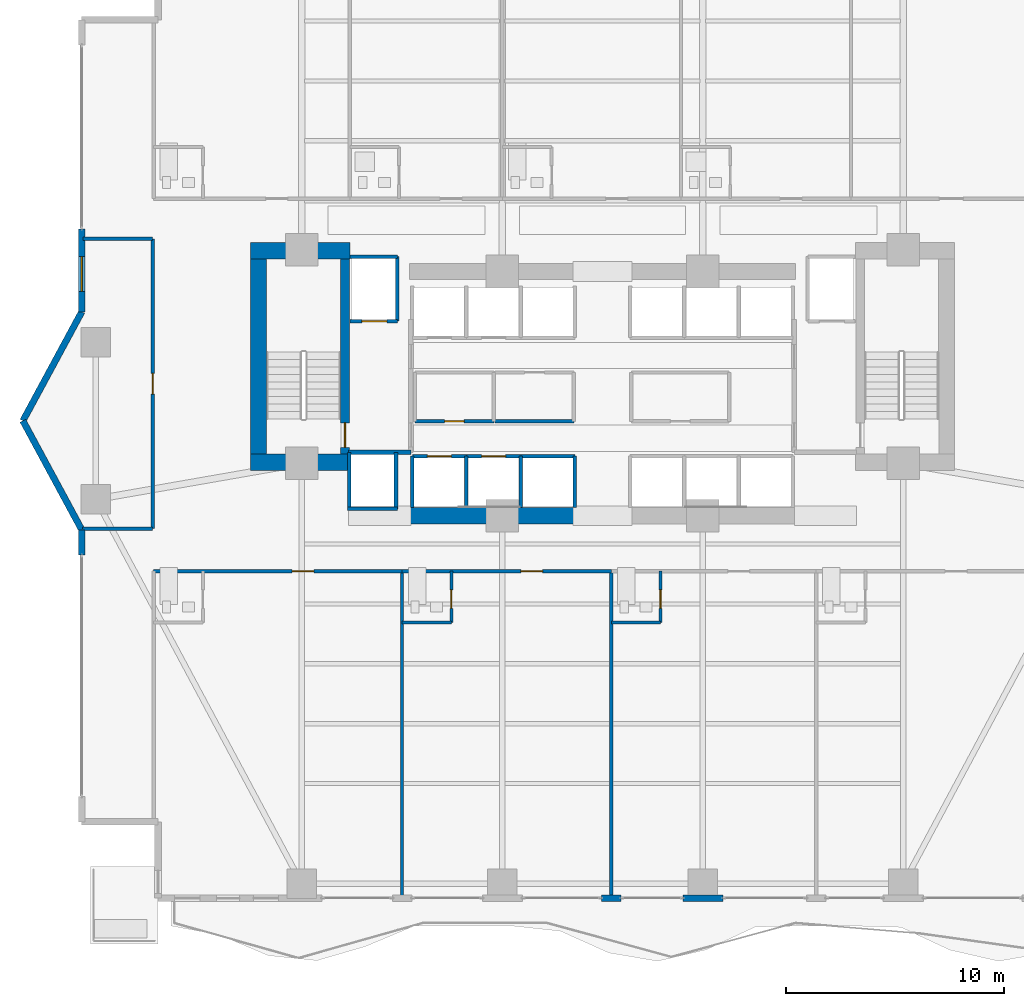
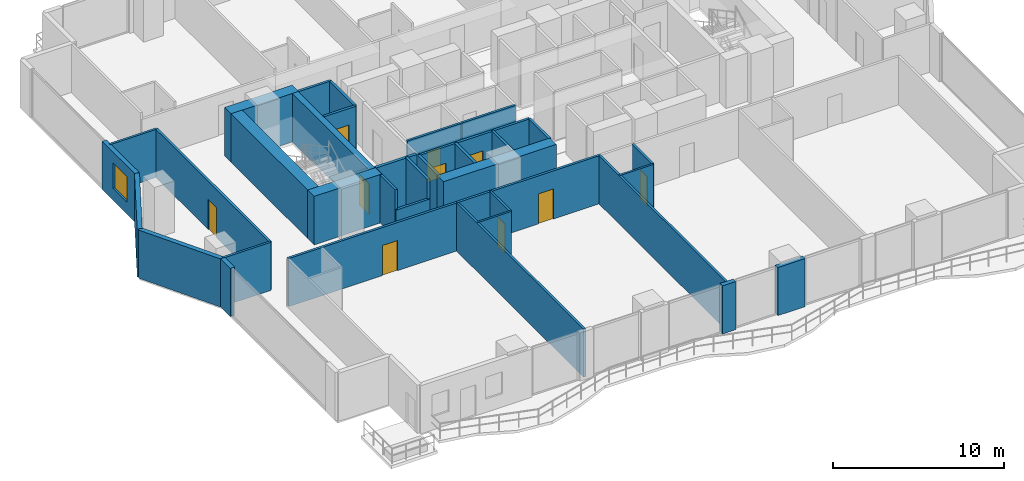
# One storey, part 20 of 27: 38 walls, 10 doors, 1 window, 11 openings.
"""IFC4 building model written with IfcOpenShell, lengths in metres."""

from ifc_helpers import new_model, si_unit, direction, frame, frame_2d, origin, place, context, subcontext, project, spatial, rectangle, extrude, material, layer, layer_set, type_object, element, fill, save


model = new_model("IFC4")

# Units and contexts
model_context = context("Model", 3, precision=1e-05, world=origin(), true_north=direction((0.0, 1.0)))
body_context = subcontext(model_context, "Body", "Model", "MODEL_VIEW")
ifc_project = project(units=[si_unit("LENGTHUNIT", "METRE"), si_unit("AREAUNIT", "SQUARE_METRE"), si_unit("VOLUMEUNIT", "CUBIC_METRE"), si_unit("PLANEANGLEUNIT", "RADIAN"), si_unit("MASSUNIT", "GRAM", prefix="KILO")], contexts=[model_context])

# Site, building, storey
site_placement = place(None, origin())
site = spatial("IfcSite", under=ifc_project, at=site_placement, CompositionType="ELEMENT")
building_placement = place(site_placement, origin())
building = spatial("IfcBuilding", under=site, at=building_placement, Name="Zuhayl Quay Hotel", CompositionType="ELEMENT")
storey_placement = place(building_placement, frame((0.0, 0.0, 124.85009765625)))
storey = spatial("IfcBuildingStorey", under=building, at=storey_placement, Name="L31", CompositionType="ELEMENT", Elevation=124.85009765625)

# Walls
ifc_material_1 = material(Name="Concrete C60/75", Category="concrete")
ifc_layer_1 = layer(ifc_material_1, 0.75, Name="Concrete C60/75", Category="concrete")
ifc_layer_set_1 = layer_set([ifc_layer_1], Name="Concrete C60/75")
wall_type_1 = type_object("IfcWallType", Name="WL_CORE_750", PredefinedType="SHEAR", material=ifc_layer_set_1)
wall_1_placement = place(storey_placement, frame((-16.159912109375, 14.304931640625, 0.0), z_axis=(0.0, 0.0, 1.0), x_axis=(1.0, 0.0, 0.0)))
element("IfcWall", 1, at=wall_1_placement, inside=storey, type_object=wall_type_1, Name="L31 Core Shear Wall CW_NW", PredefinedType="SHEAR", context=body_context, shape_type="SweptSolid", body=[
    extrude(rectangle(XDim=4.559814453125, YDim=0.75, at=frame_2d((2.27978515625, 0.0))), origin(), (0.0, 0.0, 1.0), 3.4599609375),
])
wall_2_placement = place(storey_placement, frame((-15.784912109375, 4.969970703125, 0.0), z_axis=(0.0, 0.0, 1.0), x_axis=(0.0, 1.0, 0.0)))
element("IfcWall", 2, at=wall_2_placement, inside=storey, type_object=wall_type_1, Name="L31 Core Shear Wall CW_W", PredefinedType="SHEAR", context=body_context, shape_type="SweptSolid", body=[
    extrude(rectangle(XDim=8.9599609375, YDim=0.75, at=frame_2d((4.47998046875, 0.0))), origin(), (0.0, 0.0, 1.0), 3.4599609375),
])
wall_3_placement = place(storey_placement, frame((-16.159912109375, 4.594970703125, 0.0), z_axis=(0.0, 0.0, 1.0), x_axis=(1.0, 0.0, 0.0)))
element("IfcWall", 3, at=wall_3_placement, inside=storey, type_object=wall_type_1, Name="L31 Core Shear Wall CW_SW", PredefinedType="SHEAR", context=body_context, shape_type="SweptSolid", body=[
    extrude(rectangle(XDim=4.559814453125, YDim=0.75, at=frame_2d((2.27978515625, 0.0))), origin(), (0.0, 0.0, 1.0), 3.4599609375),
])
wall_4_placement = place(storey_placement, frame((-8.85009765625, 2.14990234375, 0.0), z_axis=(0.0, 0.0, 1.0), x_axis=(1.0, 0.0, 0.0)))
element("IfcWall", 4, at=wall_4_placement, inside=storey, type_object=wall_type_1, Name="L31 Core Shear Wall CW_SC_W", PredefinedType="SHEAR", context=body_context, shape_type="SweptSolid", body=[
    extrude(rectangle(XDim=7.60009765625, YDim=0.75, at=frame_2d((3.800048828125, 0.0))), origin(), (0.0, 0.0, 1.0), 3.429931640625),
])
ifc_material_2 = material(Name="Precast concrete C45/55", Category="concrete")
ifc_layer_2 = layer(ifc_material_2, 0.300048828125, Name="Precast concrete C45/55", Category="concrete")
ifc_layer_set_2 = layer_set([ifc_layer_2], Name="Precast concrete C45/55")
wall_type_2 = type_object("IfcWallType", Name="WL_EXT_300", PredefinedType="STANDARD", material=ifc_layer_set_2)
wall_5_placement = place(storey_placement, frame((-23.89990234375, 0.35009765625, 0.0), z_axis=(0.0, 0.0, 1.0), x_axis=(0.0, 1.0, 0.0)))
element("IfcWall", 5, at=wall_5_placement, inside=storey, type_object=wall_type_2, Name="L31 Exterior Precast Wall ENV_L31_E02_EW2", PredefinedType="STANDARD", context=body_context, shape_type="SweptSolid", body=[
    extrude(rectangle(XDim=1.14990234375, YDim=0.300048828125, at=frame_2d((0.574951171875, 0.0))), origin(), (0.0, 0.0, 1.0), 3.429931640625),
])
for number, where, z_axis, x_axis, name in (
    (6, (-23.89990234375, 1.5, 0.0), (0.0, 0.0, 1.0), (-0.475175525499, 0.879891027325, 0.0), "L31 Exterior Precast Wall ENV_L31_EW03"),
    (7, (-26.60009765625, 6.5, 0.0), (0.0, 0.0, 1.0), (0.475175525499, 0.879891027325, 0.0), "L31 Exterior Precast Wall ENV_L31_EW04"),
):
    element("IfcWall", number, at=place(storey_placement, frame(where, z_axis=z_axis, x_axis=x_axis)), inside=storey, type_object=wall_type_2, Name=name, PredefinedType="STANDARD", context=body_context, shape_type="SweptSolid", body=[
        extrude(rectangle(XDim=5.6826171875, YDim=0.300048828125, at=frame_2d((2.84130859375, 0.0))), origin(), (0.0, 0.0, 1.0), 3.429931640625),
    ])

# Wall, opening, window
wall_6_placement = place(storey_placement, frame((-23.89990234375, 11.5, 0.0), z_axis=(0.0, 0.0, 1.0), x_axis=(0.0, 1.0, 0.0)))
wall_6 = element("IfcWall", 8, at=wall_6_placement, inside=storey, type_object=wall_type_2, Name="L31 Exterior Precast Wall ENV_L31_E05_EW1", PredefinedType="STANDARD", context=body_context, shape_type="SweptSolid", body=[
    extrude(rectangle(XDim=3.800048828125, YDim=0.300048828125, at=frame_2d((1.89990234375, 0.0))), origin(), (0.0, 0.0, 1.0), 3.429931640625),
])
opening_1_placement = place(wall_6_placement, frame((0.93505859375, 0.0, 0.85009765625)))
opening_1 = element("IfcOpeningElement", 9, at=opening_1_placement, cuts=wall_6, Name="Opening W01", PredefinedType="OPENING", context=body_context, shape_type="SweptSolid", body=[
    extrude(rectangle(XDim=1.60009765625, YDim=1.800048828125, at=frame_2d((0.800048828125, 0.89990234375))), frame((0.0, 0.159912109375, 0.0), z_axis=(0.0, -1.0, 0.0), x_axis=(1.0, 0.0, 0.0)), (0.0, 0.0, 1.0), 0.320068359375),
])
ifc_material_3 = material(Name="Dark Ceramic-Fritted Solar Glass", Category="glass")
window_type = type_object("IfcWindowType", Name="WN_OPERABLE_1600", PartitioningType="DOUBLE_PANEL_VERTICAL", PredefinedType="WINDOW", material=ifc_material_3)
window_placement = place(opening_1_placement, origin())
window = element("IfcWindow", 10, at=window_placement, inside=storey, type_object=window_type, Name="L31 Operable Facade Window 1-1", OverallHeight=1.800048828125, OverallWidth=1.60009765625, PartitioningType="SINGLE_PANEL", PredefinedType="WINDOW", context=body_context, shape_type="SweptSolid", body=[
    extrude(rectangle(XDim=1.60009765625, YDim=1.800048828125, at=frame_2d((0.800048828125, 0.89990234375))), frame((0.0, 0.030029296875, 0.0), z_axis=(0.0, -1.0, 0.0), x_axis=(1.0, 0.0, 0.0)), (0.0, 0.0, 1.0), 0.06005859375),
])
fill(opening_1, window)

# Walls
wall_7_placement = place(storey_placement, frame((5.52001953125, -15.39990234375, 0.0), z_axis=(0.0, 0.0, 1.0), x_axis=(-1.0, 0.0, 0.0)))
element("IfcWall", 11, at=wall_7_placement, inside=storey, type_object=wall_type_2, Name="L31 Exterior Precast Wall ENV_L31_S_EW4", PredefinedType="STANDARD", context=body_context, shape_type="SweptSolid", body=[
    extrude(rectangle(XDim=1.840087890625, YDim=0.300048828125, at=frame_2d((0.919921875, 0.0))), origin(), (0.0, 0.0, 1.0), 3.429931640625),
])
wall_8_placement = place(storey_placement, frame((0.85009765625, -15.39990234375, 0.0), z_axis=(0.0, 0.0, 1.0), x_axis=(-1.0, 0.0, 0.0)))
element("IfcWall", 12, at=wall_8_placement, inside=storey, type_object=wall_type_2, Name="L31 Exterior Precast Wall ENV_L31_S_EW5", PredefinedType="STANDARD", context=body_context, shape_type="SweptSolid", body=[
    extrude(rectangle(XDim=0.900146484375, YDim=0.300048828125, at=frame_2d((0.4501953125, 0.0))), origin(), (0.0, 0.0, 1.0), 3.429931640625),
])

# Wall, opening, door
ifc_material_4 = material(Name="Acoustic Gypsum Partition STC-58")
ifc_layer_3 = layer(ifc_material_4, 0.14990234375, Name="Acoustic Gypsum Partition STC-58")
ifc_layer_set_3 = layer_set([ifc_layer_3], Name="Acoustic Gypsum Partition STC-58")
wall_type_3 = type_object("IfcWallType", Name="WL_PART_150", PredefinedType="PARTITIONING", material=ifc_layer_set_3)
wall_9_placement = place(storey_placement, frame((-8.610107421875, 6.47998046875, 0.0), z_axis=(0.0, 0.0, 1.0), x_axis=(1.0, 0.0, 0.0)))
wall_9 = element("IfcWall", 13, at=wall_9_placement, inside=storey, type_object=wall_type_3, Name="L31 Partition IW_L31_CORE_SW_S", PredefinedType="PARTITIONING", context=body_context, shape_type="SweptSolid", body=[
    extrude(rectangle(XDim=3.6201171875, YDim=0.14990234375, at=frame_2d((1.81005859375, 0.0))), origin(), (0.0, 0.0, 1.0), 3.429931640625),
])
opening_2_placement = place(wall_9_placement, frame((1.360107421875, 0.0, 0.0)))
opening_2 = element("IfcOpeningElement", 14, at=opening_2_placement, cuts=wall_9, Name="Opening D06", PredefinedType="OPENING", context=body_context, shape_type="SweptSolid", body=[
    extrude(rectangle(XDim=0.89990234375, YDim=2.14990234375, at=frame_2d((0.449951171875, 1.074951171875))), frame((0.0, 0.0849609375, 0.0), z_axis=(0.0, -1.0, 0.0), x_axis=(1.0, 0.0, 0.0)), (0.0, 0.0, 1.0), 0.169921875),
])
ifc_material_5 = material(Name="Steel ASTM A992 Grade 50", Category="steel")
door_type_1 = type_object("IfcDoorType", Name="DR_INT_900", OperationType="NOTDEFINED", PredefinedType="DOOR", material=ifc_material_5)
door_1_placement = place(opening_2_placement, origin())
door_1 = element("IfcDoor", 15, at=door_1_placement, inside=storey, type_object=door_type_1, Name="L31 Floor Switchgear Closet Door", OperationType="SINGLE_SWING_LEFT", OverallHeight=2.14990234375, OverallWidth=0.89990234375, PredefinedType="DOOR", context=body_context, shape_type="SweptSolid", body=[
    extrude(rectangle(XDim=0.89990234375, YDim=2.14990234375, at=frame_2d((0.449951171875, 1.074951171875))), frame((0.0, 0.02490234375, 0.0), z_axis=(0.0, -1.0, 0.0), x_axis=(1.0, 0.0, 0.0)), (0.0, 0.0, 1.0), 0.050048828125),
])
fill(opening_2, door_1)

# Walls
wall_10_placement = place(storey_placement, frame((-4.929931640625, 6.47998046875, 0.0), z_axis=(0.0, 0.0, 1.0), x_axis=(1.0, 0.0, 0.0)))
element("IfcWall", 16, at=wall_10_placement, inside=storey, type_object=wall_type_3, Name="L31 Partition IW_L31_CORE_BM_S", PredefinedType="PARTITIONING", context=body_context, shape_type="SweptSolid", body=[
    extrude(rectangle(XDim=3.60986328125, YDim=0.14990234375, at=frame_2d((1.804931640625, 0.0))), origin(), (0.0, 0.0, 1.0), 3.429931640625),
])
for number, where, z_axis, x_axis, name in (
    (17, (-9.199951171875, -15.320068359375, 0.0), (0.0, 0.0, 1.0), (0.0, 1.0, 0.0), "L31 Partition IW_L31_SU01_E"),
    (18, (0.39990234375, -15.320068359375, 0.0), (0.0, 0.0, 1.0), (0.0, 1.0, 0.0), "L31 Partition IW_L31_SU02_E"),
):
    element("IfcWall", number, at=place(storey_placement, frame(where, z_axis=z_axis, x_axis=x_axis)), inside=storey, type_object=wall_type_3, Name=name, PredefinedType="PARTITIONING", context=body_context, shape_type="SweptSolid", body=[
        extrude(rectangle(XDim=14.920166015625, YDim=0.14990234375, at=frame_2d((7.4599609375, 0.0))), origin(), (0.0, 0.0, 1.0), 3.429931640625),
    ])
wall_11_placement = place(storey_placement, frame((-23.866943359375, 1.550048828125, 0.0), z_axis=(0.0, 0.0, 1.0), x_axis=(1.0, 0.0, 0.0)))
element("IfcWall", 19, at=wall_11_placement, inside=storey, type_object=wall_type_3, Name="L31 Partition IW_L31_WPROW_1_S", PredefinedType="PARTITIONING", context=body_context, shape_type="SweptSolid", body=[
    extrude(rectangle(XDim=3.217041015625, YDim=0.14990234375, at=frame_2d((1.6083984375, 0.0))), origin(), (0.0, 0.0, 1.0), 3.429931640625),
])
wall_12_placement = place(storey_placement, frame((-23.840087890625, 14.85009765625, 0.0), z_axis=(0.0, 0.0, 1.0), x_axis=(1.0, 0.0, 0.0)))
element("IfcWall", 20, at=wall_12_placement, inside=storey, type_object=wall_type_3, Name="L31 Partition IW_L31_WPROW_1_N", PredefinedType="PARTITIONING", context=body_context, shape_type="SweptSolid", body=[
    extrude(rectangle(XDim=3.190185546875, YDim=0.14990234375, at=frame_2d((1.59521484375, 0.0))), origin(), (0.0, 0.0, 1.0), 3.429931640625),
])

# Wall, opening, door
ifc_layer_4 = layer(ifc_material_4, 0.159912109375, Name="Acoustic Gypsum Partition STC-58")
ifc_layer_set_4 = layer_set([ifc_layer_4], Name="Acoustic Gypsum Partition STC-58")
wall_type_4 = type_object("IfcWallType", Name="WL_PART_CORR_160", PredefinedType="PARTITIONING", material=ifc_layer_set_4)
wall_13_placement = place(storey_placement, frame((-20.60009765625, -0.39990234375, 0.0), z_axis=(0.0, 0.0, 1.0), x_axis=(1.0, 0.0, 0.0)))
wall_13 = element("IfcWall", 21, at=wall_13_placement, inside=storey, type_object=wall_type_4, Name="L31 Partition IW_L31_SU01_COR", PredefinedType="PARTITIONING", context=body_context, shape_type="SweptSolid", body=[
    extrude(rectangle(XDim=11.400146484375, YDim=0.159912109375, at=frame_2d((5.7001953125, 0.0))), origin(), (0.0, 0.0, 1.0), 3.429931640625),
])
opening_3_placement = place(wall_13_placement, frame((6.35009765625, 0.0, 0.0)))
opening_3 = element("IfcOpeningElement", 22, at=opening_3_placement, cuts=wall_13, Name="Opening D03L", PredefinedType="OPENING", context=body_context, shape_type="SweptSolid", body=[
    extrude(rectangle(XDim=1.0, YDim=2.14990234375, at=frame_2d((0.5, 1.074951171875))), frame((0.0, 0.08984375, 0.0), z_axis=(0.0, -1.0, 0.0), x_axis=(1.0, 0.0, 0.0)), (0.0, 0.0, 1.0), 0.179931640625),
])
ifc_material_6 = material(Name="Solid Walnut Acoustic Fire Door")
door_type_2 = type_object("IfcDoorType", Name="DR_SUITE_1000", OperationType="NOTDEFINED", PredefinedType="DOOR", material=ifc_material_6)
door_2_placement = place(opening_3_placement, origin())
door_2 = element("IfcDoor", 23, at=door_2_placement, inside=storey, type_object=door_type_2, Name="L31 City-View Junior Suite L31-01 Entrance Door", OperationType="SINGLE_SWING_RIGHT", OverallHeight=2.14990234375, OverallWidth=1.0, PredefinedType="DOOR", context=body_context, shape_type="SweptSolid", body=[
    extrude(rectangle(XDim=1.0, YDim=2.14990234375, at=frame_2d((0.5, 1.074951171875))), frame((0.0, 0.02490234375, 0.0), z_axis=(0.0, -1.0, 0.0), x_axis=(1.0, 0.0, 0.0)), (0.0, 0.0, 1.0), 0.050048828125),
])
fill(opening_3, door_2)

wall_14_placement = place(storey_placement, frame((-9.199951171875, -0.39990234375, 0.0), z_axis=(0.0, 0.0, 1.0), x_axis=(1.0, 0.0, 0.0)))
wall_14 = element("IfcWall", 24, at=wall_14_placement, inside=storey, type_object=wall_type_4, Name="L31 Partition IW_L31_SU02_COR", PredefinedType="PARTITIONING", context=body_context, shape_type="SweptSolid", body=[
    extrude(rectangle(XDim=9.599853515625, YDim=0.159912109375, at=frame_2d((4.7998046875, 0.0))), origin(), (0.0, 0.0, 1.0), 3.429931640625),
])
opening_4_placement = place(wall_14_placement, frame((5.449951171875, 0.0, 0.0)))
opening_4 = element("IfcOpeningElement", 25, at=opening_4_placement, cuts=wall_14, Name="Opening D03L", PredefinedType="OPENING", context=body_context, shape_type="SweptSolid", body=[
    extrude(rectangle(XDim=1.0, YDim=2.14990234375, at=frame_2d((0.5, 1.074951171875))), frame((0.0, 0.08984375, 0.0), z_axis=(0.0, -1.0, 0.0), x_axis=(1.0, 0.0, 0.0)), (0.0, 0.0, 1.0), 0.179931640625),
])
door_3_placement = place(opening_4_placement, origin())
door_3 = element("IfcDoor", 26, at=door_3_placement, inside=storey, type_object=door_type_2, Name="L31 City-View Junior Suite L31-02 Entrance Door", OperationType="SINGLE_SWING_RIGHT", OverallHeight=2.14990234375, OverallWidth=1.0, PredefinedType="DOOR", context=body_context, shape_type="SweptSolid", body=[
    extrude(rectangle(XDim=1.0, YDim=2.14990234375, at=frame_2d((0.5, 1.074951171875))), frame((0.0, 0.02490234375, 0.0), z_axis=(0.0, -1.0, 0.0), x_axis=(1.0, 0.0, 0.0)), (0.0, 0.0, 1.0), 0.050048828125),
])
fill(opening_4, door_3)

wall_15_placement = place(storey_placement, frame((-20.64990234375, 1.550048828125, 0.0), z_axis=(0.0, 0.0, 1.0), x_axis=(0.0, 1.0, 0.0)))
wall_15 = element("IfcWall", 27, at=wall_15_placement, inside=storey, type_object=wall_type_4, Name="L31 Partition IW_L31_WPROW_1_E", PredefinedType="PARTITIONING", context=body_context, shape_type="SweptSolid", body=[
    extrude(rectangle(XDim=13.300048828125, YDim=0.159912109375, at=frame_2d((6.64990234375, 0.0))), origin(), (0.0, 0.0, 1.0), 3.429931640625),
])
opening_5_placement = place(wall_15_placement, frame((6.175048828125, 0.0, 0.0)))
opening_5 = element("IfcOpeningElement", 28, at=opening_5_placement, cuts=wall_15, Name="Opening D03", PredefinedType="OPENING", context=body_context, shape_type="SweptSolid", body=[
    extrude(rectangle(XDim=0.949951171875, YDim=2.14990234375, at=frame_2d((0.47509765625, 1.074951171875))), frame((0.0, 0.08984375, 0.0), z_axis=(0.0, -1.0, 0.0), x_axis=(1.0, 0.0, 0.0)), (0.0, 0.0, 1.0), 0.179931640625),
])
door_type_3 = type_object("IfcDoorType", Name="DR_SUITE_950", OperationType="NOTDEFINED", PredefinedType="DOOR", material=ifc_material_6)
door_4_placement = place(opening_5_placement, origin())
door_4 = element("IfcDoor", 29, at=door_4_placement, inside=storey, type_object=door_type_3, Name="L31 West Prow Panoramic Salon L31 Door", OperationType="SINGLE_SWING_RIGHT", OverallHeight=2.14990234375, OverallWidth=0.949951171875, PredefinedType="DOOR", context=body_context, shape_type="SweptSolid", body=[
    extrude(rectangle(XDim=0.949951171875, YDim=2.14990234375, at=frame_2d((0.47509765625, 1.074951171875))), frame((0.0, 0.02490234375, 0.0), z_axis=(0.0, -1.0, 0.0), x_axis=(1.0, 0.0, 0.0)), (0.0, 0.0, 1.0), 0.050048828125),
])
fill(opening_5, door_4)

ifc_material_7 = material(Name="Moisture-Resistant Sanitarychase Gypsum")
ifc_layer_5 = layer(ifc_material_7, 0.135009765625, Name="Moisture-Resistant Sanitarychase Gypsum")
ifc_layer_set_5 = layer_set([ifc_layer_5], Name="Moisture-Resistant Sanitarychase Gypsum")
wall_type_5 = type_object("IfcWallType", Name="WL_PART_PLUMB_150", PredefinedType="PLUMBINGWALL", material=ifc_layer_set_5)
wall_16_placement = place(storey_placement, frame((-6.93994140625, -2.760009765625, 0.0), z_axis=(0.0, 0.0, 1.0), x_axis=(0.0, 1.0, 0.0)))
wall_16 = element("IfcWall", 30, at=wall_16_placement, inside=storey, type_object=wall_type_5, Name="L31 Partition IW_L31_SU02_BE", PredefinedType="PLUMBINGWALL", context=body_context, shape_type="SweptSolid", body=[
    extrude(rectangle(XDim=2.360107421875, YDim=0.135009765625, at=frame_2d((1.18017578125, 0.0))), origin(), (0.0, 0.0, 1.0), 3.429931640625),
])
opening_6_placement = place(wall_16_placement, frame((0.64990234375, 0.0, 0.0)))
opening_6 = element("IfcOpeningElement", 31, at=opening_6_placement, cuts=wall_16, Name="Opening D04", PredefinedType="OPENING", context=body_context, shape_type="SweptSolid", body=[
    extrude(rectangle(XDim=0.85009765625, YDim=2.10009765625, at=frame_2d((0.425048828125, 1.050048828125))), frame((0.0, 0.077392578125, 0.0), z_axis=(0.0, -1.0, 0.0), x_axis=(1.0, 0.0, 0.0)), (0.0, 0.0, 1.0), 0.155029296875),
])
ifc_material_8 = material(Name="Moisture-Resistant Walnut Veneer")
door_type_4 = type_object("IfcDoorType", Name="DR_BATH_850", OperationType="NOTDEFINED", PredefinedType="DOOR", material=ifc_material_8)
door_5_placement = place(opening_6_placement, origin())
door_5 = element("IfcDoor", 32, at=door_5_placement, inside=storey, type_object=door_type_4, Name="L31 City-View Junior Suite L31-02 En-Suite Door", OperationType="SINGLE_SWING_LEFT", OverallHeight=2.10009765625, OverallWidth=0.85009765625, PredefinedType="DOOR", context=body_context, shape_type="SweptSolid", body=[
    extrude(rectangle(XDim=0.85009765625, YDim=2.10009765625, at=frame_2d((0.425048828125, 1.050048828125))), frame((0.0, 0.02490234375, 0.0), z_axis=(0.0, -1.0, 0.0), x_axis=(1.0, 0.0, 0.0)), (0.0, 0.0, 1.0), 0.050048828125),
])
fill(opening_6, door_5)

wall_17_placement = place(storey_placement, frame((2.659912109375, -2.760009765625, 0.0), z_axis=(0.0, 0.0, 1.0), x_axis=(0.0, 1.0, 0.0)))
wall_17 = element("IfcWall", 33, at=wall_17_placement, inside=storey, type_object=wall_type_5, Name="L31 Partition IW_L31_SU03_BE", PredefinedType="PLUMBINGWALL", context=body_context, shape_type="SweptSolid", body=[
    extrude(rectangle(XDim=2.360107421875, YDim=0.135009765625, at=frame_2d((1.18017578125, 0.0))), origin(), (0.0, 0.0, 1.0), 3.429931640625),
])
opening_7_placement = place(wall_17_placement, frame((0.64990234375, 0.0, 0.0)))
opening_7 = element("IfcOpeningElement", 34, at=opening_7_placement, cuts=wall_17, Name="Opening D04", PredefinedType="OPENING", context=body_context, shape_type="SweptSolid", body=[
    extrude(rectangle(XDim=0.85009765625, YDim=2.10009765625, at=frame_2d((0.425048828125, 1.050048828125))), frame((0.0, 0.077392578125, 0.0), z_axis=(0.0, -1.0, 0.0), x_axis=(1.0, 0.0, 0.0)), (0.0, 0.0, 1.0), 0.155029296875),
])
door_6_placement = place(opening_7_placement, origin())
door_6 = element("IfcDoor", 35, at=door_6_placement, inside=storey, type_object=door_type_4, Name="L31 City-View Junior Suite L31-03 En-Suite Door", OperationType="SINGLE_SWING_LEFT", OverallHeight=2.10009765625, OverallWidth=0.85009765625, PredefinedType="DOOR", context=body_context, shape_type="SweptSolid", body=[
    extrude(rectangle(XDim=0.85009765625, YDim=2.10009765625, at=frame_2d((0.425048828125, 1.050048828125))), frame((0.0, 0.02490234375, 0.0), z_axis=(0.0, -1.0, 0.0), x_axis=(1.0, 0.0, 0.0)), (0.0, 0.0, 1.0), 0.050048828125),
])
fill(opening_7, door_6)

# Walls
for number, where, z_axis, x_axis, name in (
    (36, (-9.199951171875, -2.760009765625, 0.0), (0.0, 0.0, 1.0), (1.0, 0.0, 0.0), "L31 Partition IW_L31_SU02_BS"),
    (37, (0.39990234375, -2.760009765625, 0.0), (0.0, 0.0, 1.0), (1.0, 0.0, 0.0), "L31 Partition IW_L31_SU03_BS"),
):
    element("IfcWall", number, at=place(storey_placement, frame(where, z_axis=z_axis, x_axis=x_axis)), inside=storey, type_object=wall_type_5, Name=name, PredefinedType="PLUMBINGWALL", context=body_context, shape_type="SweptSolid", body=[
        extrude(rectangle(XDim=2.260009765625, YDim=0.135009765625, at=frame_2d((1.1298828125, 0.0))), origin(), (0.0, 0.0, 1.0), 3.429931640625),
    ])

# Wall, opening, door
ifc_material_9 = material(Name="Gypsum Fireboard Assembly EI-90")
ifc_layer_6 = layer(ifc_material_9, 0.1650390625, Name="Gypsum Fireboard Assembly EI-90")
ifc_layer_set_6 = layer_set([ifc_layer_6], Name="Gypsum Fireboard Assembly EI-90")
wall_type_6 = type_object("IfcWallType", Name="WL_PART_SHAFT_160", PredefinedType="PARTITIONING", material=ifc_layer_set_6)
wall_18_placement = place(storey_placement, frame((-11.580078125, 11.070068359375, 0.0), z_axis=(0.0, 0.0, 1.0), x_axis=(1.0, 0.0, 0.0)))
wall_18 = element("IfcWall", 38, at=wall_18_placement, inside=storey, type_object=wall_type_6, Name="L31 Partition IW_L31_SH_FL1_F", PredefinedType="PARTITIONING", context=body_context, shape_type="SweptSolid", body=[
    extrude(rectangle(XDim=2.16015625, YDim=0.1650390625, at=frame_2d((1.080078125, 0.0))), origin(), (0.0, 0.0, 1.0), 3.429931640625),
])
opening_8_placement = place(wall_18_placement, frame((0.530029296875, 0.0, 0.0)))
opening_8 = element("IfcOpeningElement", 39, at=opening_8_placement, cuts=wall_18, Name="Opening LD2", PredefinedType="OPENING", context=body_context, shape_type="SweptSolid", body=[
    extrude(rectangle(XDim=1.14990234375, YDim=2.25, at=frame_2d((0.574951171875, 1.125))), frame((0.0, 0.092529296875, 0.0), z_axis=(0.0, -1.0, 0.0), x_axis=(1.0, 0.0, 0.0)), (0.0, 0.0, 1.0), 0.18505859375),
])
ifc_material_10 = material(Name="Brushed Stainless Steel", Category="steel")
door_type_5 = type_object("IfcDoorType", Name="DR_LIFT_FF_1100", OperationType="SLIDING_TO_LEFT", PredefinedType="DOOR", material=ifc_material_10)
door_7_placement = place(opening_8_placement, origin())
door_7 = element("IfcDoor", 40, at=door_7_placement, inside=storey, type_object=door_type_5, Name="L31 Lift FL1 Sliding Landing Door", OperationType="SLIDING_TO_LEFT", OverallHeight=2.25, OverallWidth=1.14990234375, PredefinedType="DOOR", context=body_context, shape_type="SweptSolid", body=[
    extrude(rectangle(XDim=1.14990234375, YDim=2.25, at=frame_2d((0.574951171875, 1.125))), frame((0.0, 0.02490234375, 0.0), z_axis=(0.0, -1.0, 0.0), x_axis=(1.0, 0.0, 0.0)), (0.0, 0.0, 1.0), 0.050048828125),
])
fill(opening_8, door_7)

wall_19_placement = place(storey_placement, frame((-8.72998046875, 4.8798828125, 0.0), z_axis=(0.0, 0.0, 1.0), x_axis=(1.0, 0.0, 0.0)))
wall_19 = element("IfcWall", 41, at=wall_19_placement, inside=storey, type_object=wall_type_6, Name="L31 Partition IW_L31_SH_LP1_F", PredefinedType="PARTITIONING", context=body_context, shape_type="SweptSolid", body=[
    extrude(rectangle(XDim=2.47998046875, YDim=0.1650390625, at=frame_2d((1.239990234375, 0.0))), origin(), (0.0, 0.0, 1.0), 3.429931640625),
])
opening_9_placement = place(wall_19_placement, frame((0.68994140625, 0.0, 0.0)))
opening_9 = element("IfcOpeningElement", 42, at=opening_9_placement, cuts=wall_19, Name="Opening LD1", PredefinedType="OPENING", context=body_context, shape_type="SweptSolid", body=[
    extrude(rectangle(XDim=1.10009765625, YDim=2.25, at=frame_2d((0.550048828125, 1.125))), frame((0.0, 0.092529296875, 0.0), z_axis=(0.0, -1.0, 0.0), x_axis=(1.0, 0.0, 0.0)), (0.0, 0.0, 1.0), 0.18505859375),
])
door_type_6 = type_object("IfcDoorType", Name="DR_LIFT_PASS_1100", OperationType="SLIDING_TO_LEFT", PredefinedType="DOOR", material=ifc_material_10)
door_8_placement = place(opening_9_placement, origin())
door_8 = element("IfcDoor", 43, at=door_8_placement, inside=storey, type_object=door_type_6, Name="L31 Lift LP1 Sliding Landing Door", OperationType="SLIDING_TO_LEFT", OverallHeight=2.25, OverallWidth=1.10009765625, PredefinedType="DOOR", context=body_context, shape_type="SweptSolid", body=[
    extrude(rectangle(XDim=1.10009765625, YDim=2.25, at=frame_2d((0.550048828125, 1.125))), frame((0.0, 0.02490234375, 0.0), z_axis=(0.0, -1.0, 0.0), x_axis=(1.0, 0.0, 0.0)), (0.0, 0.0, 1.0), 0.050048828125),
])
fill(opening_9, door_8)

wall_20_placement = place(storey_placement, frame((-6.25, 4.8798828125, 0.0), z_axis=(0.0, 0.0, 1.0), x_axis=(1.0, 0.0, 0.0)))
wall_20 = element("IfcWall", 44, at=wall_20_placement, inside=storey, type_object=wall_type_6, Name="L31 Partition IW_L31_SH_LP2_F", PredefinedType="PARTITIONING", context=body_context, shape_type="SweptSolid", body=[
    extrude(rectangle(XDim=2.5, YDim=0.1650390625, at=frame_2d((1.25, 0.0))), origin(), (0.0, 0.0, 1.0), 3.429931640625),
])
opening_10_placement = place(wall_20_placement, frame((0.699951171875, 0.0, 0.0)))
opening_10 = element("IfcOpeningElement", 45, at=opening_10_placement, cuts=wall_20, Name="Opening LD1", PredefinedType="OPENING", context=body_context, shape_type="SweptSolid", body=[
    extrude(rectangle(XDim=1.10009765625, YDim=2.25, at=frame_2d((0.550048828125, 1.125))), frame((0.0, 0.092529296875, 0.0), z_axis=(0.0, -1.0, 0.0), x_axis=(1.0, 0.0, 0.0)), (0.0, 0.0, 1.0), 0.18505859375),
])
door_9_placement = place(opening_10_placement, origin())
door_9 = element("IfcDoor", 46, at=door_9_placement, inside=storey, type_object=door_type_6, Name="L31 Lift LP2 Sliding Landing Door", OperationType="SLIDING_TO_LEFT", OverallHeight=2.25, OverallWidth=1.10009765625, PredefinedType="DOOR", context=body_context, shape_type="SweptSolid", body=[
    extrude(rectangle(XDim=1.10009765625, YDim=2.25, at=frame_2d((0.550048828125, 1.125))), frame((0.0, 0.02490234375, 0.0), z_axis=(0.0, -1.0, 0.0), x_axis=(1.0, 0.0, 0.0)), (0.0, 0.0, 1.0), 0.050048828125),
])
fill(opening_10, door_9)

# Walls
wall_21_placement = place(storey_placement, frame((-9.419921875, 11.070068359375, 0.0), z_axis=(0.0, 0.0, 1.0), x_axis=(0.0, 1.0, 0.0)))
element("IfcWall", 47, at=wall_21_placement, inside=storey, type_object=wall_type_6, Name="L31 Partition IW_L31_SH_FL1_E", PredefinedType="PARTITIONING", context=body_context, shape_type="SweptSolid", body=[
    extrude(rectangle(XDim=2.9599609375, YDim=0.1650390625, at=frame_2d((1.47998046875, 0.0))), origin(), (0.0, 0.0, 1.0), 3.429931640625),
])
wall_22_placement = place(storey_placement, frame((-11.580078125, 14.030029296875, 0.0), z_axis=(0.0, 0.0, 1.0), x_axis=(1.0, 0.0, 0.0)))
element("IfcWall", 48, at=wall_22_placement, inside=storey, type_object=wall_type_6, Name="L31 Partition IW_L31_SH_FL1_B", PredefinedType="PARTITIONING", context=body_context, shape_type="SweptSolid", body=[
    extrude(rectangle(XDim=2.16015625, YDim=0.1650390625, at=frame_2d((1.080078125, 0.0))), origin(), (0.0, 0.0, 1.0), 3.429931640625),
])
for number, where, z_axis, x_axis, name in (
    (49, (-8.72998046875, 2.52001953125, 0.0), (0.0, 0.0, 1.0), (0.0, 1.0, 0.0), "L31 Partition IW_L31_SH_LP1_W"),
    (50, (-6.25, 2.52001953125, 0.0), (0.0, 0.0, 1.0), (0.0, 1.0, 0.0), "L31 Partition IW_L31_SH_LP1_E"),
    (51, (-3.75, 2.52001953125, 0.0), (0.0, 0.0, 1.0), (0.0, 1.0, 0.0), "L31 Partition IW_L31_SH_LP2_E"),
):
    element("IfcWall", number, at=place(storey_placement, frame(where, z_axis=z_axis, x_axis=x_axis)), inside=storey, type_object=wall_type_6, Name=name, PredefinedType="PARTITIONING", context=body_context, shape_type="SweptSolid", body=[
        extrude(rectangle(XDim=2.35986328125, YDim=0.1650390625, at=frame_2d((1.179931640625, 0.0))), origin(), (0.0, 0.0, 1.0), 3.429931640625),
    ])
wall_23_placement = place(storey_placement, frame((-3.75, 4.8798828125, 0.0), z_axis=(0.0, 0.0, 1.0), x_axis=(1.0, 0.0, 0.0)))
element("IfcWall", 52, at=wall_23_placement, inside=storey, type_object=wall_type_6, Name="L31 Partition IW_L31_SH_MP1_F", PredefinedType="PARTITIONING", context=body_context, shape_type="SweptSolid", body=[
    extrude(rectangle(XDim=2.47998046875, YDim=0.1650390625, at=frame_2d((1.239990234375, 0.0))), origin(), (0.0, 0.0, 1.0), 3.429931640625),
])
wall_24_placement = place(storey_placement, frame((-1.27001953125, 2.52001953125, 0.0), z_axis=(0.0, 0.0, 1.0), x_axis=(0.0, 1.0, 0.0)))
element("IfcWall", 53, at=wall_24_placement, inside=storey, type_object=wall_type_6, Name="L31 Partition IW_L31_SH_MP1_E", PredefinedType="PARTITIONING", context=body_context, shape_type="SweptSolid", body=[
    extrude(rectangle(XDim=2.35986328125, YDim=0.1650390625, at=frame_2d((1.179931640625, 0.0))), origin(), (0.0, 0.0, 1.0), 3.429931640625),
])
wall_25_placement = place(storey_placement, frame((-11.6298828125, 2.469970703125, 0.0), z_axis=(0.0, 0.0, 1.0), x_axis=(0.0, 1.0, 0.0)))
element("IfcWall", 54, at=wall_25_placement, inside=storey, type_object=wall_type_6, Name="L31 Partition IW_L31_RISER_W", PredefinedType="PARTITIONING", context=body_context, shape_type="SweptSolid", body=[
    extrude(rectangle(XDim=2.580078125, YDim=0.1650390625, at=frame_2d((1.2900390625, 0.0))), origin(), (0.0, 0.0, 1.0), 3.429931640625),
])
wall_26_placement = place(storey_placement, frame((-11.7099609375, 2.469970703125, 0.0), z_axis=(0.0, 0.0, 1.0), x_axis=(1.0, 0.0, 0.0)))
element("IfcWall", 55, at=wall_26_placement, inside=storey, type_object=wall_type_6, Name="L31 Partition IW_L31_RISER_S", PredefinedType="PARTITIONING", context=body_context, shape_type="SweptSolid", body=[
    extrude(rectangle(XDim=2.31005859375, YDim=0.1650390625, at=frame_2d((1.155029296875, 0.0))), origin(), (0.0, 0.0, 1.0), 2.02978515625),
])
ifc_layer_7 = layer(ifc_material_9, 0.179931640625, Name="Gypsum Fireboard Assembly EI-90")
ifc_layer_set_7 = layer_set([ifc_layer_7], Name="Gypsum Fireboard Assembly EI-90")
wall_type_7 = type_object("IfcWallType", Name="WL_PART_SHAFT_180", PredefinedType="PARTITIONING", material=ifc_layer_set_7)
wall_27_placement = place(storey_placement, frame((-9.469970703125, 2.449951171875, 0.0), z_axis=(0.0, 0.0, 1.0), x_axis=(0.0, 1.0, 0.0)))
element("IfcWall", 56, at=wall_27_placement, inside=storey, type_object=wall_type_7, Name="L31 Partition IW_L31_RISER_E", PredefinedType="PARTITIONING", context=body_context, shape_type="SweptSolid", body=[
    extrude(rectangle(XDim=2.60009765625, YDim=0.179931640625, at=frame_2d((1.300048828125, 0.0))), origin(), (0.0, 0.0, 1.0), 3.429931640625),
])
ifc_material_11 = material(Name="Gypsum Fireboard Assembly EI-120")
ifc_layer_8 = layer(ifc_material_11, 0.199951171875, Name="Gypsum Fireboard Assembly EI-120")
ifc_layer_set_8 = layer_set([ifc_layer_8], Name="Gypsum Fireboard Assembly EI-120")
wall_type_8 = type_object("IfcWallType", Name="WL_PART_SHAFT_200", PredefinedType="PARTITIONING", material=ifc_layer_set_8)
wall_28_placement = place(storey_placement, frame((-11.64990234375, 5.050048828125, 0.0), z_axis=(0.0, 0.0, 1.0), x_axis=(1.0, 0.0, 0.0)))
element("IfcWall", 57, at=wall_28_placement, inside=storey, type_object=wall_type_8, Name="L31 Partition IW_L31_FSAE_W_S", PredefinedType="PARTITIONING", context=body_context, shape_type="SweptSolid", body=[
    extrude(rectangle(XDim=2.849853515625, YDim=0.199951171875, at=frame_2d((1.4248046875, 0.0))), origin(), (0.0, 0.0, 1.0), 3.429931640625),
])

# Wall, opening, door
ifc_layer_9 = layer(ifc_material_1, 0.39990234375, Name="Concrete C60/75", Category="concrete")
ifc_layer_set_9 = layer_set([ifc_layer_9], Name="Concrete C60/75")
wall_type_9 = type_object("IfcWallType", Name="WL_STAIR_400", PredefinedType="SHEAR", material=ifc_layer_set_9)
wall_29_placement = place(storey_placement, frame((-11.820068359375, 4.969970703125, 0.0), z_axis=(0.0, 0.0, 1.0), x_axis=(0.0, 1.0, 0.0)))
wall_29 = element("IfcWall", 58, at=wall_29_placement, inside=storey, type_object=wall_type_9, Name="L31 Core Shear Wall SW_ST1", PredefinedType="SHEAR", context=body_context, shape_type="SweptSolid", body=[
    extrude(rectangle(XDim=8.9599609375, YDim=0.39990234375, at=frame_2d((4.47998046875, 0.0))), origin(), (0.0, 0.0, 1.0), 3.4599609375),
])
opening_11_placement = place(wall_29_placement, frame((0.31005859375, 0.0, 0.0)))
opening_11 = element("IfcOpeningElement", 59, at=opening_11_placement, cuts=wall_29, Name="Opening D01", PredefinedType="OPENING", context=body_context, shape_type="SweptSolid", body=[
    extrude(rectangle(XDim=1.1201171875, YDim=2.219970703125, at=frame_2d((0.56005859375, 1.10986328125))), frame((0.0, 0.2099609375, 0.0), z_axis=(0.0, -1.0, 0.0), x_axis=(1.0, 0.0, 0.0)), (0.0, 0.0, 1.0), 0.419921875),
])
door_type_7 = type_object("IfcDoorType", Name="DR_STAIR_90_1100", OperationType="NOTDEFINED", PredefinedType="DOOR", material=ifc_material_5)
door_10_placement = place(opening_11_placement, origin())
door_10 = element("IfcDoor", 60, at=door_10_placement, inside=storey, type_object=door_type_7, Name="L31 Smokeproof Exit Stair ST1 Door", OperationType="SINGLE_SWING_LEFT", OverallHeight=2.219970703125, OverallWidth=1.1201171875, PredefinedType="DOOR", context=body_context, shape_type="SweptSolid", body=[
    extrude(rectangle(XDim=1.1201171875, YDim=2.219970703125, at=frame_2d((0.56005859375, 1.10986328125))), frame((0.0, 0.02490234375, 0.0), z_axis=(0.0, -1.0, 0.0), x_axis=(1.0, 0.0, 0.0)), (0.0, 0.0, 1.0), 0.050048828125),
])
fill(opening_11, door_10)

save(model, "model.ifc")
